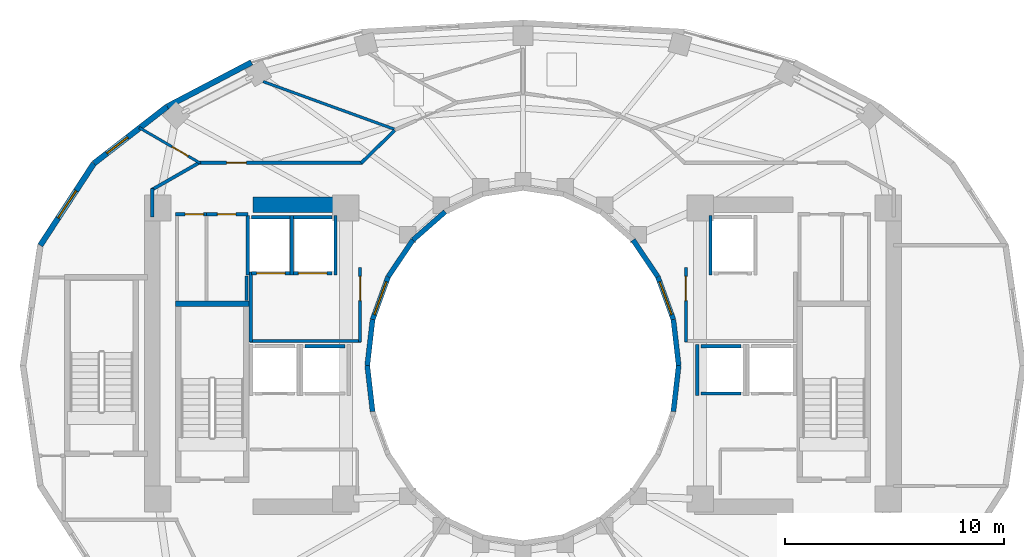
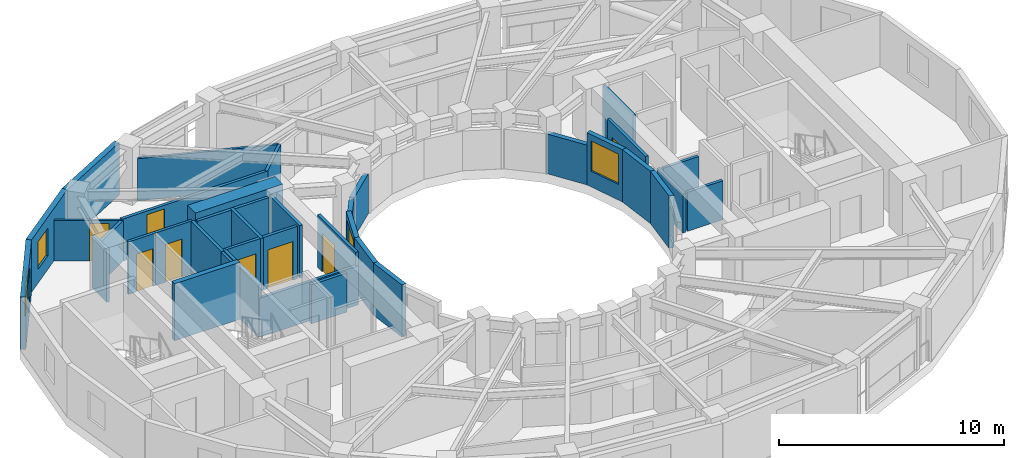
# One storey, part 12 of 17: 39 walls, 8 doors, 4 windows, 12 openings.
"""IFC4 building model written with IfcOpenShell, lengths in metres."""

from ifc_helpers import new_model, si_unit, direction, frame, frame_2d, origin, place, context, subcontext, project, spatial, rectangle, extrude, material, layer, layer_set, type_object, element, fill, save


model = new_model("IFC4")

# Units and contexts
model_context = context("Model", 3, precision=1e-05, world=origin(), true_north=direction((0.0, 1.0)))
body_context = subcontext(model_context, "Body", "Model", "MODEL_VIEW")
ifc_project = project(units=[si_unit("LENGTHUNIT", "METRE"), si_unit("AREAUNIT", "SQUARE_METRE"), si_unit("VOLUMEUNIT", "CUBIC_METRE"), si_unit("PLANEANGLEUNIT", "RADIAN"), si_unit("MASSUNIT", "GRAM", prefix="KILO")], contexts=[model_context])

# Site, building, storey
site_placement = place(None, origin())
site = spatial("IfcSite", under=ifc_project, at=site_placement, CompositionType="ELEMENT")
building_placement = place(site_placement, origin())
building = spatial("IfcBuilding", under=site, at=building_placement, Name="Solvane Sanctuary Tower", CompositionType="ELEMENT")
storey_placement = place(building_placement, frame((0.0, 0.0, 171.5)))
storey = spatial("IfcBuildingStorey", under=building, at=storey_placement, Name="L52", CompositionType="ELEMENT", Elevation=171.5)

# Walls
ifc_material_1 = material(Name="Concrete C60/75", Category="concrete")
ifc_layer_1 = layer(ifc_material_1, 0.699951171875, Name="Concrete C60/75")
ifc_layer_set_1 = layer_set([ifc_layer_1], Name="Concrete C60/75")
wall_type_1 = type_object("IfcWallType", Name="Wall W-CORE-700", PredefinedType="SHEAR", material=ifc_layer_set_1)
wall_1_placement = place(storey_placement, frame((19.64990234375, 30.35009765625, 0.0), z_axis=(0.0, 0.0, 1.0), x_axis=(1.0, 0.0, 0.0)))
element("IfcWall", 1, at=wall_1_placement, inside=storey, type_object=wall_type_1, Name="L52 Core Shear Wall WC-N", PredefinedType="SHEAR", context=body_context, shape_type="SweptSolid", body=[
    extrude(rectangle(XDim=4.5, YDim=0.699951171875, at=frame_2d((2.25, 0.0))), origin(), (0.0, 0.0, 1.0), 3.10009765625),
])
ifc_material_2 = material(Name="Acoustic Gypsum Partition Board")
ifc_layer_2 = layer(ifc_material_2, 0.14990234375, Name="Acoustic Gypsum Partition Board")
ifc_layer_set_2 = layer_set([ifc_layer_2], Name="Acoustic Gypsum Partition Board")
wall_type_2 = type_object("IfcWallType", Name="Wall W-CORR-150", PredefinedType="PARTITIONING", material=ifc_layer_set_2)
wall_2_placement = place(storey_placement, frame((19.52001953125, 24.1201171875, 0.0), z_axis=(0.0, 0.0, 1.0), x_axis=(1.0, 0.0, 0.0)))
element("IfcWall", 2, at=wall_2_placement, inside=storey, type_object=wall_type_2, Name="L52 West Firefighting Lobby South Wall", PredefinedType="PARTITIONING", context=body_context, shape_type="SweptSolid", body=[
    extrude(rectangle(XDim=5.080078125, YDim=0.14990234375, at=frame_2d((2.5400390625, 0.0))), origin(), (0.0, 0.0, 1.0), 2.1201171875),
])
wall_3_placement = place(storey_placement, frame((19.550048828125, 24.080078125, 0.0), z_axis=(0.0, 0.0, 1.0), x_axis=(0.0, 1.0, 0.0)))
element("IfcWall", 3, at=wall_3_placement, inside=storey, type_object=wall_type_2, Name="L52 West Firefighting Lobby West Wall", PredefinedType="PARTITIONING", context=body_context, shape_type="SweptSolid", body=[
    extrude(rectangle(XDim=3.199951171875, YDim=0.14990234375, at=frame_2d((1.60009765625, 0.0))), origin(), (0.0, 0.0, 1.0), 2.85498046875),
])

# Wall, opening, door
wall_4_placement = place(storey_placement, frame((24.550048828125, 24.080078125, 0.0), z_axis=(0.0, 0.0, 1.0), x_axis=(0.0, 1.0, 0.0)))
wall_4 = element("IfcWall", 4, at=wall_4_placement, inside=storey, type_object=wall_type_2, Name="L52 West Firefighting Lobby East Wall", PredefinedType="PARTITIONING", context=body_context, shape_type="SweptSolid", body=[
    extrude(rectangle(XDim=3.39990234375, YDim=0.14990234375, at=frame_2d((1.699951171875, 0.0))), origin(), (0.0, 0.0, 1.0), 2.85498046875),
])
opening_1_placement = place(wall_4_placement, frame((1.893798828125, 0.0, 0.0)))
opening_1 = element("IfcOpeningElement", 5, at=opening_1_placement, cuts=wall_4, Name="Opening D-L52-04", PredefinedType="OPENING", context=body_context, shape_type="SweptSolid", body=[
    extrude(rectangle(XDim=1.10009765625, YDim=2.10009765625, at=frame_2d((0.550048828125, 1.050048828125))), frame((0.0, 0.0849609375, 0.0), z_axis=(0.0, -1.0, 0.0), x_axis=(1.0, 0.0, 0.0)), (0.0, 0.0, 1.0), 0.169921875),
])
ifc_material_3 = material(Name="Architectural Stainless Steel 316", Category="steel")
door_type_1 = type_object("IfcDoorType", Name="Door D-FFL", OperationType="NOTDEFINED", PredefinedType="DOOR", material=ifc_material_3)
door_1_placement = place(opening_1_placement, origin())
door_1 = element("IfcDoor", 6, at=door_1_placement, inside=storey, type_object=door_type_1, Name="L52 West Firefighting Lobby Fire Door", OperationType="SINGLE_SWING_RIGHT", OverallHeight=2.10009765625, OverallWidth=1.10009765625, PredefinedType="DOOR", context=body_context, shape_type="SweptSolid", body=[
    extrude(rectangle(XDim=1.10009765625, YDim=2.10009765625, at=frame_2d((0.550048828125, 1.050048828125))), frame((0.0, 0.02490234375, 0.0), z_axis=(0.0, -1.0, 0.0), x_axis=(1.0, 0.0, 0.0)), (0.0, 0.0, 1.0), 0.050048828125),
])
fill(opening_1, door_1)

wall_5_placement = place(storey_placement, frame((39.449951171875, 24.080078125, 0.0), z_axis=(0.0, 0.0, 1.0), x_axis=(0.0, 1.0, 0.0)))
wall_5 = element("IfcWall", 7, at=wall_5_placement, inside=storey, type_object=wall_type_2, Name="L52 East Firefighting Lobby West Wall", PredefinedType="PARTITIONING", context=body_context, shape_type="SweptSolid", body=[
    extrude(rectangle(XDim=3.39990234375, YDim=0.14990234375, at=frame_2d((1.699951171875, 0.0))), origin(), (0.0, 0.0, 1.0), 2.85498046875),
])
opening_2_placement = place(wall_5_placement, frame((1.893798828125, 0.0, 0.0)))
opening_2 = element("IfcOpeningElement", 8, at=opening_2_placement, cuts=wall_5, Name="Opening D-L52-05", PredefinedType="OPENING", context=body_context, shape_type="SweptSolid", body=[
    extrude(rectangle(XDim=1.10009765625, YDim=2.10009765625, at=frame_2d((0.550048828125, 1.050048828125))), frame((0.0, 0.0849609375, 0.0), z_axis=(0.0, -1.0, 0.0), x_axis=(1.0, 0.0, 0.0)), (0.0, 0.0, 1.0), 0.169921875),
])
door_2_placement = place(opening_2_placement, origin())
door_2 = element("IfcDoor", 9, at=door_2_placement, inside=storey, type_object=door_type_1, Name="L52 East Firefighting Lobby Fire Door", OperationType="SINGLE_SWING_LEFT", OverallHeight=2.10009765625, OverallWidth=1.10009765625, PredefinedType="DOOR", context=body_context, shape_type="SweptSolid", body=[
    extrude(rectangle(XDim=1.10009765625, YDim=2.10009765625, at=frame_2d((0.550048828125, 1.050048828125))), frame((0.0, 0.02490234375, 0.0), z_axis=(0.0, -1.0, 0.0), x_axis=(1.0, 0.0, 0.0)), (0.0, 0.0, 1.0), 0.050048828125),
])
fill(opening_2, door_2)

# Walls
wall_6_placement = place(storey_placement, frame((15.050048828125, 29.800048828125, 0.0), z_axis=(0.0, 0.0, 1.0), x_axis=(0.0, 1.0, 0.0)))
element("IfcWall", 10, at=wall_6_placement, inside=storey, type_object=wall_type_2, Name="L52 NW Corner Closer 2", PredefinedType="PARTITIONING", context=body_context, shape_type="SweptSolid", body=[
    extrude(rectangle(XDim=1.2900390625, YDim=0.14990234375, at=frame_2d((0.64501953125, 0.0))), origin(), (0.0, 0.0, 1.0), 2.85498046875),
])
wall_7_placement = place(storey_placement, frame((26.132568359375, 33.748779296875, 0.0), z_axis=(0.0, 0.0, 1.0), x_axis=(-0.717419568599, -0.696641344302, 0.0)))
element("IfcWall", 11, at=wall_7_placement, inside=storey, type_object=wall_type_2, Name="L52 NW Corner Throat Wall", PredefinedType="PARTITIONING", context=body_context, shape_type="SweptSolid", body=[
    extrude(rectangle(XDim=2.138427734375, YDim=0.14990234375, at=frame_2d((1.0693359375, 0.0))), origin(), (0.0, 0.0, 1.0), 2.299072265625),
])

# Wall, opening, door
wall_8_placement = place(storey_placement, frame((17.14990234375, 32.280029296875, 0.0), z_axis=(0.0, 0.0, 1.0), x_axis=(1.0, 0.0, 0.0)))
wall_8 = element("IfcWall", 12, at=wall_8_placement, inside=storey, type_object=wall_type_2, Name="L52 NW Corner Corridor Wall", PredefinedType="PARTITIONING", context=body_context, shape_type="SweptSolid", body=[
    extrude(rectangle(XDim=7.52001953125, YDim=0.14990234375, at=frame_2d((3.760009765625, 0.0))), origin(), (0.0, 0.0, 1.0), 2.299072265625),
])
opening_3_placement = place(wall_8_placement, frame((1.300048828125, 0.0, 0.0)))
opening_3 = element("IfcOpeningElement", 13, at=opening_3_placement, cuts=wall_8, Name="Opening D-L52-15", PredefinedType="OPENING", context=body_context, shape_type="SweptSolid", body=[
    extrude(rectangle(XDim=0.89990234375, YDim=2.10009765625, at=frame_2d((0.449951171875, 1.050048828125))), frame((0.0, 0.0849609375, 0.0), z_axis=(0.0, -1.0, 0.0), x_axis=(1.0, 0.0, 0.0)), (0.0, 0.0, 1.0), 0.169921875),
])
ifc_material_4 = material(Name="Engineered Tropical Hardwood", Category="wood")
door_type_2 = type_object("IfcDoorType", Name="Door D-WET-900", OperationType="NOTDEFINED", PredefinedType="DOOR", material=ifc_material_4)
door_3_placement = place(opening_3_placement, origin())
door_3 = element("IfcDoor", 14, at=door_3_placement, inside=storey, type_object=door_type_2, Name="L52 NW Corner Salon Door", OperationType="SINGLE_SWING_LEFT", OverallHeight=2.10009765625, OverallWidth=0.89990234375, PredefinedType="DOOR", context=body_context, shape_type="SweptSolid", body=[
    extrude(rectangle(XDim=0.89990234375, YDim=2.10009765625, at=frame_2d((0.449951171875, 1.050048828125))), frame((0.0, 0.02490234375, 0.0), z_axis=(0.0, -1.0, 0.0), x_axis=(1.0, 0.0, 0.0)), (0.0, 0.0, 1.0), 0.050048828125),
])
fill(opening_3, door_3)

# Walls
wall_9_placement = place(storey_placement, frame((17.243408203125, 32.3046875, 0.0), z_axis=(0.0, 0.0, 1.0), x_axis=(-0.867991349648, -0.496579315857, 0.0)))
element("IfcWall", 15, at=wall_9_placement, inside=storey, type_object=wall_type_2, Name="L52 NW Corner Wing Wall", PredefinedType="PARTITIONING", context=body_context, shape_type="SweptSolid", body=[
    extrude(rectangle(XDim=2.56689453125, YDim=0.14990234375, at=frame_2d((1.283447265625, 0.0))), origin(), (0.0, 0.0, 1.0), 2.219970703125),
])
ifc_material_5 = material(Name="Precast concrete C40/50", Category="concrete")
ifc_layer_3 = layer(ifc_material_5, 0.260009765625, Name="Precast concrete C40/50")
ifc_layer_set_3 = layer_set([ifc_layer_3], Name="Precast concrete C40/50")
wall_type_3 = type_object("IfcWallType", Name="Wall W-EXT-250", PredefinedType="STANDARD", material=ifc_layer_set_3)
wall_10_placement = place(storey_placement, frame((19.5869140625, 36.86328125, 0.0), z_axis=(0.0, 0.0, 1.0), x_axis=(-0.885660265226, -0.464333818065, 0.0)))
element("IfcWall", 16, at=wall_10_placement, inside=storey, type_object=wall_type_3, Name="L52 Ceramic-Printed Facade Wall 08", PredefinedType="STANDARD", context=body_context, shape_type="SweptSolid", body=[
    extrude(rectangle(XDim=4.35400390625, YDim=0.260009765625, at=frame_2d((2.177001953125, 0.0))), origin(), (0.0, 0.0, 1.0), 2.85009765625),
])

# Wall, opening, window
wall_11_placement = place(storey_placement, frame((15.730712890625, 34.841552734375, 0.0), z_axis=(0.0, 0.0, 1.0), x_axis=(-0.790185650662, -0.612867552973, 0.0)))
wall_11 = element("IfcWall", 17, at=wall_11_placement, inside=storey, type_object=wall_type_3, Name="L52 Ceramic-Printed Facade Wall 09", PredefinedType="STANDARD", context=body_context, shape_type="SweptSolid", body=[
    extrude(rectangle(XDim=4.2392578125, YDim=0.260009765625, at=frame_2d((2.11962890625, 0.0))), origin(), (0.0, 0.0, 1.0), 2.85009765625),
])
opening_4_placement = place(wall_11_placement, frame((2.290283203125, 0.0, 0.75)))
opening_4 = element("IfcOpeningElement", 18, at=opening_4_placement, cuts=wall_11, Name="Opening WN-OPER-1200", PredefinedType="OPENING", context=body_context, shape_type="SweptSolid", body=[
    extrude(rectangle(XDim=1.199951171875, YDim=1.5, at=frame_2d((0.60009765625, 0.75))), frame((0.0, 0.139892578125, 0.0), z_axis=(0.0, -1.0, 0.0), x_axis=(1.0, 0.0, 0.0)), (0.0, 0.0, 1.0), 0.280029296875),
])
ifc_material_6 = material(Name="Dark Ceramic-Fritted Low-E Glass", Category="glass")
window_type_1 = type_object("IfcWindowType", Name="Window WN-OPER-1200", PartitioningType="SINGLE_PANEL", PredefinedType="WINDOW", material=ifc_material_6)
window_1_placement = place(opening_4_placement, origin())
window_1 = element("IfcWindow", 19, at=window_1_placement, inside=storey, type_object=window_type_1, Name="L52 Operable Facade Window 09", OverallHeight=1.5, OverallWidth=1.199951171875, PartitioningType="SINGLE_PANEL", PredefinedType="WINDOW", context=body_context, shape_type="SweptSolid", body=[
    extrude(rectangle(XDim=1.199951171875, YDim=1.5, at=frame_2d((0.60009765625, 0.75))), frame((0.0, 0.030029296875, 0.0), z_axis=(0.0, -1.0, 0.0), x_axis=(1.0, 0.0, 0.0)), (0.0, 0.0, 1.0), 0.06005859375),
])
fill(opening_4, window_1)

wall_12_placement = place(storey_placement, frame((12.380859375, 32.243408203125, 0.0), z_axis=(0.0, 0.0, 1.0), x_axis=(-0.547456494366, -0.836834145322, 0.0)))
wall_12 = element("IfcWall", 20, at=wall_12_placement, inside=storey, type_object=wall_type_3, Name="L52 Ceramic-Printed Facade Wall 10", PredefinedType="STANDARD", context=body_context, shape_type="SweptSolid", body=[
    extrude(rectangle(XDim=4.477294921875, YDim=0.260009765625, at=frame_2d((2.23876953125, 0.0))), origin(), (0.0, 0.0, 1.0), 2.85009765625),
])
opening_5_placement = place(wall_12_placement, frame((1.48876953125, 0.0, 0.75)))
opening_5 = element("IfcOpeningElement", 21, at=opening_5_placement, cuts=wall_12, Name="Opening WN-OPER-1500", PredefinedType="OPENING", context=body_context, shape_type="SweptSolid", body=[
    extrude(rectangle(XDim=1.5, YDim=1.60009765625, at=frame_2d((0.75, 0.800048828125))), frame((0.0, 0.139892578125, 0.0), z_axis=(0.0, -1.0, 0.0), x_axis=(1.0, 0.0, 0.0)), (0.0, 0.0, 1.0), 0.280029296875),
])
window_type_2 = type_object("IfcWindowType", Name="Window WN-OPER-1500", PartitioningType="SINGLE_PANEL", PredefinedType="WINDOW", material=ifc_material_6)
window_2_placement = place(opening_5_placement, origin())
window_2 = element("IfcWindow", 22, at=window_2_placement, inside=storey, type_object=window_type_2, Name="L52 Operable Facade Window 10", OverallHeight=1.60009765625, OverallWidth=1.5, PartitioningType="SINGLE_PANEL", PredefinedType="WINDOW", context=body_context, shape_type="SweptSolid", body=[
    extrude(rectangle(XDim=1.5, YDim=1.60009765625, at=frame_2d((0.75, 0.800048828125))), frame((0.0, 0.030029296875, 0.0), z_axis=(0.0, -1.0, 0.0), x_axis=(1.0, 0.0, 0.0)), (0.0, 0.0, 1.0), 0.06005859375),
])
fill(opening_5, window_2)

# Wall
ifc_layer_4 = layer(ifc_material_5, 0.22998046875, Name="Precast concrete C40/50")
ifc_layer_set_4 = layer_set([ifc_layer_4], Name="Precast concrete C40/50")
wall_type_4 = type_object("IfcWallType", Name="Wall W-EXT-SP220", PredefinedType="STANDARD", material=ifc_layer_set_4)
wall_13_placement = place(storey_placement, frame((39.1201171875, 23.0, 0.0), z_axis=(0.0, 0.0, 1.0), x_axis=(-0.114711713601, 0.993398823617, 0.0)))
element("IfcWall", 23, at=wall_13_placement, inside=storey, type_object=wall_type_4, Name="L52 Central Light-Well Wall 00", PredefinedType="STANDARD", context=body_context, shape_type="SweptSolid", body=[
    extrude(rectangle(XDim=2.115478515625, YDim=0.22998046875, at=frame_2d((1.0576171875, 0.0))), origin(), (0.0, 0.0, 1.0), 2.840087890625),
])

# Wall, opening, window
wall_14_placement = place(storey_placement, frame((38.87744140625, 25.1015625, 0.0), z_axis=(0.0, 0.0, 1.0), x_axis=(-0.341423187295, 0.93990968033, 0.0)))
wall_14 = element("IfcWall", 24, at=wall_14_placement, inside=storey, type_object=wall_type_4, Name="L52 Central Light-Well Wall 01", PredefinedType="STANDARD", context=body_context, shape_type="SweptSolid", body=[
    extrude(rectangle(XDim=2.083740234375, YDim=0.22998046875, at=frame_2d((1.0419921875, 0.0))), origin(), (0.0, 0.0, 1.0), 2.840087890625),
])
opening_6_placement = place(wall_14_placement, frame((0.24169921875, 0.0, 0.85009765625)))
opening_6 = element("IfcOpeningElement", 25, at=opening_6_placement, cuts=wall_14, Name="Opening WN-WELL-1600", PredefinedType="OPENING", context=body_context, shape_type="SweptSolid", body=[
    extrude(rectangle(XDim=1.60009765625, YDim=1.64990234375, at=frame_2d((0.800048828125, 0.824951171875))), frame((0.0, 0.125, 0.0), z_axis=(0.0, -1.0, 0.0), x_axis=(1.0, 0.0, 0.0)), (0.0, 0.0, 1.0), 0.25),
])
ifc_material_7 = material(Name="Clear Laminated Light-Well Glass", Category="glass")
window_type_3 = type_object("IfcWindowType", Name="Window WN-WELL-1600", PartitioningType="SINGLE_PANEL", PredefinedType="WINDOW", material=ifc_material_7)
window_3_placement = place(opening_6_placement, origin())
window_3 = element("IfcWindow", 26, at=window_3_placement, inside=storey, type_object=window_type_3, Name="L52 Light-Well Daylight Window 01", OverallHeight=1.64990234375, OverallWidth=1.60009765625, PartitioningType="SINGLE_PANEL", PredefinedType="WINDOW", context=body_context, shape_type="SweptSolid", body=[
    extrude(rectangle(XDim=1.60009765625, YDim=1.64990234375, at=frame_2d((0.800048828125, 0.824951171875))), frame((0.0, 0.030029296875, 0.0), z_axis=(0.0, -1.0, 0.0), x_axis=(1.0, 0.0, 0.0)), (0.0, 0.0, 1.0), 0.06005859375),
])
fill(opening_6, window_3)

# Walls
wall_15_placement = place(storey_placement, frame((38.166015625, 27.06005859375, 0.0), z_axis=(0.0, 0.0, 1.0), x_axis=(-0.558197800898, 0.829707909492, 0.0)))
element("IfcWall", 27, at=wall_15_placement, inside=storey, type_object=wall_type_4, Name="L52 Central Light-Well Wall 02", PredefinedType="STANDARD", context=body_context, shape_type="SweptSolid", body=[
    extrude(rectangle(XDim=2.02685546875, YDim=0.22998046875, at=frame_2d((1.013427734375, 0.0))), origin(), (0.0, 0.0, 1.0), 2.159912109375),
])
wall_16_placement = place(storey_placement, frame((28.43994140625, 30.031982421875, 0.0), z_axis=(0.0, 0.0, 1.0), x_axis=(-0.752576694707, -0.658504607869, 0.0)))
element("IfcWall", 28, at=wall_16_placement, inside=storey, type_object=wall_type_4, Name="L52 Central Light-Well Wall 08", PredefinedType="STANDARD", context=body_context, shape_type="SweptSolid", body=[
    extrude(rectangle(XDim=1.95947265625, YDim=0.22998046875, at=frame_2d((0.979736328125, 0.0))), origin(), (0.0, 0.0, 1.0), 2.159912109375),
])
wall_17_placement = place(storey_placement, frame((26.96533203125, 28.74169921875, 0.0), z_axis=(0.0, 0.0, 1.0), x_axis=(-0.558197800898, -0.829707909492, 0.0)))
element("IfcWall", 29, at=wall_17_placement, inside=storey, type_object=wall_type_4, Name="L52 Central Light-Well Wall 09", PredefinedType="STANDARD", context=body_context, shape_type="SweptSolid", body=[
    extrude(rectangle(XDim=2.02685546875, YDim=0.22998046875, at=frame_2d((1.013427734375, 0.0))), origin(), (0.0, 0.0, 1.0), 2.159912109375),
])

# Wall, opening, window
wall_18_placement = place(storey_placement, frame((25.833984375, 27.06005859375, 0.0), z_axis=(0.0, 0.0, 1.0), x_axis=(-0.341423187295, -0.93990968033, 0.0)))
wall_18 = element("IfcWall", 30, at=wall_18_placement, inside=storey, type_object=wall_type_4, Name="L52 Central Light-Well Wall 10", PredefinedType="STANDARD", context=body_context, shape_type="SweptSolid", body=[
    extrude(rectangle(XDim=2.083740234375, YDim=0.22998046875, at=frame_2d((1.0419921875, 0.0))), origin(), (0.0, 0.0, 1.0), 2.840087890625),
])
opening_7_placement = place(wall_18_placement, frame((0.24169921875, 0.0, 0.85009765625)))
opening_7 = element("IfcOpeningElement", 31, at=opening_7_placement, cuts=wall_18, Name="Opening WN-WELL-1600", PredefinedType="OPENING", context=body_context, shape_type="SweptSolid", body=[
    extrude(rectangle(XDim=1.60009765625, YDim=1.64990234375, at=frame_2d((0.800048828125, 0.824951171875))), frame((0.0, 0.125, 0.0), z_axis=(0.0, -1.0, 0.0), x_axis=(1.0, 0.0, 0.0)), (0.0, 0.0, 1.0), 0.25),
])
window_4_placement = place(opening_7_placement, origin())
window_4 = element("IfcWindow", 32, at=window_4_placement, inside=storey, type_object=window_type_3, Name="L52 Light-Well Daylight Window 10", OverallHeight=1.64990234375, OverallWidth=1.60009765625, PartitioningType="SINGLE_PANEL", PredefinedType="WINDOW", context=body_context, shape_type="SweptSolid", body=[
    extrude(rectangle(XDim=1.60009765625, YDim=1.64990234375, at=frame_2d((0.800048828125, 0.824951171875))), frame((0.0, 0.030029296875, 0.0), z_axis=(0.0, -1.0, 0.0), x_axis=(1.0, 0.0, 0.0)), (0.0, 0.0, 1.0), 0.06005859375),
])
fill(opening_7, window_4)

# Walls
for number, where, z_axis, x_axis, name in (
    (33, (25.12255859375, 25.1015625, 0.0), (0.0, 0.0, 1.0), (-0.114711713601, -0.993398823617, 0.0), "L52 Central Light-Well Wall 11"),
    (34, (24.8798828125, 23.0, 0.0), (0.0, 0.0, 1.0), (0.114711713601, -0.993398823617, 0.0), "L52 Central Light-Well Wall 12"),
    (35, (38.87744140625, 20.8984375, 0.0), (0.0, 0.0, 1.0), (0.114711713601, 0.993398823617, 0.0), "L52 Central Light-Well Wall 23"),
):
    element("IfcWall", number, at=place(storey_placement, frame(where, z_axis=z_axis, x_axis=x_axis)), inside=storey, type_object=wall_type_4, Name=name, PredefinedType="STANDARD", context=body_context, shape_type="SweptSolid", body=[
        extrude(rectangle(XDim=2.115478515625, YDim=0.22998046875, at=frame_2d((1.0576171875, 0.0))), origin(), (0.0, 0.0, 1.0), 2.840087890625),
    ])

# Wall, opening, door
ifc_layer_5 = layer(ifc_material_2, 0.1201171875, Name="Acoustic Gypsum Partition Board")
ifc_layer_set_5 = layer_set([ifc_layer_5], Name="Acoustic Gypsum Partition Board")
wall_type_5 = type_object("IfcWallType", Name="Wall W-MOV-100", PredefinedType="MOVABLE", material=ifc_layer_set_5)
wall_19_placement = place(storey_placement, frame((17.2431640625, 32.2548828125, 0.0), z_axis=(0.0, 0.0, 1.0), x_axis=(-0.864408655832, 0.502789892224, 0.0)))
wall_19 = element("IfcWall", 36, at=wall_19_placement, inside=storey, type_object=wall_type_5, Name="L52 NW Corner Suite Partition", PredefinedType="MOVABLE", context=body_context, shape_type="SweptSolid", body=[
    extrude(rectangle(XDim=3.23046875, YDim=0.1201171875, at=frame_2d((1.615234375, 0.0))), origin(), (0.0, 0.0, 1.0), 2.219970703125),
])
opening_8_placement = place(wall_19_placement, frame((0.640625, 0.0, 0.0)))
opening_8 = element("IfcOpeningElement", 37, at=opening_8_placement, cuts=wall_19, Name="Opening D-L52-14", PredefinedType="OPENING", context=body_context, shape_type="SweptSolid", body=[
    extrude(rectangle(XDim=0.85009765625, YDim=2.050048828125, at=frame_2d((0.425048828125, 1.02490234375))), frame((0.0, 0.070068359375, 0.0), z_axis=(0.0, -1.0, 0.0), x_axis=(1.0, 0.0, 0.0)), (0.0, 0.0, 1.0), 0.14013671875),
])
door_type_3 = type_object("IfcDoorType", Name="Door D-RISER", OperationType="NOTDEFINED", PredefinedType="DOOR", material=ifc_material_3)
door_4_placement = place(opening_8_placement, origin())
door_4 = element("IfcDoor", 38, at=door_4_placement, inside=storey, type_object=door_type_3, Name="L52 NW Corner Suite Door", OperationType="SINGLE_SWING_RIGHT", OverallHeight=2.050048828125, OverallWidth=0.85009765625, PredefinedType="DOOR", context=body_context, shape_type="SweptSolid", body=[
    extrude(rectangle(XDim=0.85009765625, YDim=2.050048828125, at=frame_2d((0.425048828125, 1.02490234375))), frame((0.0, 0.02490234375, 0.0), z_axis=(0.0, -1.0, 0.0), x_axis=(1.0, 0.0, 0.0)), (0.0, 0.0, 1.0), 0.050048828125),
])
fill(opening_8, door_4)

# Walls
ifc_layer_6 = layer(ifc_material_2, 0.125, Name="Acoustic Gypsum Partition Board")
ifc_layer_set_6 = layer_set([ifc_layer_6], Name="Acoustic Gypsum Partition Board")
wall_type_6 = type_object("IfcWallType", Name="Wall W-PART-125", PredefinedType="PARTITIONING", material=ifc_layer_set_6)
wall_20_placement = place(storey_placement, frame((26.120361328125, 33.805908203125, 0.0), z_axis=(0.0, 0.0, 1.0), x_axis=(-0.939901628116, 0.341445353557, 0.0)))
element("IfcWall", 39, at=wall_20_placement, inside=storey, type_object=wall_type_6, Name="L52 Radial Compartment Wall 120", PredefinedType="PARTITIONING", context=body_context, shape_type="SweptSolid", body=[
    extrude(rectangle(XDim=6.38720703125, YDim=0.125, at=frame_2d((3.193603515625, 0.0))), origin(), (0.0, 0.0, 1.0), 2.299072265625),
])
ifc_material_8 = material(Name="Concrete C50/60", Category="concrete")
ifc_layer_7 = layer(ifc_material_8, 0.14990234375, Name="Concrete C50/60")
ifc_layer_set_7 = layer_set([ifc_layer_7], Name="Concrete C50/60")
wall_type_7 = type_object("IfcWallType", Name="Wall W-SHAFT-150", PredefinedType="SOLIDWALL", material=ifc_layer_set_7)
for number, where, z_axis, x_axis, name in (
    (40, (22.0400390625, 23.8798828125, 0.0), (0.0, 0.0, 1.0), (1.0, 0.0, 0.0), "L52 PH-1 Lift Shaft Wall B"),
    (41, (40.139892578125, 21.719970703125, 0.0), (0.0, 0.0, 1.0), (1.0, 0.0, 0.0), "L52 PH-2 Lift Shaft Wall F"),
    (42, (40.139892578125, 23.8798828125, 0.0), (0.0, 0.0, 1.0), (1.0, 0.0, 0.0), "L52 PH-2 Lift Shaft Wall B"),
):
    element("IfcWall", number, at=place(storey_placement, frame(where, z_axis=z_axis, x_axis=x_axis)), inside=storey, type_object=wall_type_7, Name=name, PredefinedType="SOLIDWALL", context=body_context, shape_type="SweptSolid", body=[
        extrude(rectangle(XDim=1.820068359375, YDim=0.14990234375, at=frame_2d((0.91015625, 0.0))), origin(), (0.0, 0.0, 1.0), 2.1201171875),
    ])
wall_21_placement = place(storey_placement, frame((39.969970703125, 21.639892578125, 0.0), z_axis=(0.0, 0.0, 1.0), x_axis=(0.0, 1.0, 0.0)))
element("IfcWall", 43, at=wall_21_placement, inside=storey, type_object=wall_type_7, Name="L52 PH-2 Lift Shaft Wall S1", PredefinedType="SOLIDWALL", context=body_context, shape_type="SweptSolid", body=[
    extrude(rectangle(XDim=2.320068359375, YDim=0.14990234375, at=frame_2d((1.16015625, 0.0))), origin(), (0.0, 0.0, 1.0), 2.1201171875),
])

# Wall, opening, door
wall_22_placement = place(storey_placement, frame((19.590087890625, 27.219970703125, 0.0), z_axis=(0.0, 0.0, 1.0), x_axis=(1.0, 0.0, 0.0)))
wall_22 = element("IfcWall", 44, at=wall_22_placement, inside=storey, type_object=wall_type_7, Name="L52 FFL-1 Lift Shaft Wall F", PredefinedType="SOLIDWALL", context=body_context, shape_type="SweptSolid", body=[
    extrude(rectangle(XDim=1.760009765625, YDim=0.14990234375, at=frame_2d((0.8798828125, 0.0))), origin(), (0.0, 0.0, 1.0), 2.85498046875),
])
opening_9_placement = place(wall_22_placement, frame((0.22998046875, 0.0, 0.0)))
opening_9 = element("IfcOpeningElement", 45, at=opening_9_placement, cuts=wall_22, Name="Opening LD-L52-03", PredefinedType="OPENING", context=body_context, shape_type="SweptSolid", body=[
    extrude(rectangle(XDim=1.300048828125, YDim=2.10009765625, at=frame_2d((0.64990234375, 1.050048828125))), frame((0.0, 0.0849609375, 0.0), z_axis=(0.0, -1.0, 0.0), x_axis=(1.0, 0.0, 0.0)), (0.0, 0.0, 1.0), 0.169921875),
])
door_type_4 = type_object("IfcDoorType", Name="Door LD-FFL-1300", OperationType="NOTDEFINED", PredefinedType="DOOR", material=ifc_material_3)
door_5_placement = place(opening_9_placement, origin())
door_5 = element("IfcDoor", 46, at=door_5_placement, inside=storey, type_object=door_type_4, Name="L52 FFL-1 Lift Landing Door", OperationType="DOUBLE_DOOR_SLIDING", OverallHeight=2.10009765625, OverallWidth=1.300048828125, PredefinedType="DOOR", context=body_context, shape_type="SweptSolid", body=[
    extrude(rectangle(XDim=1.300048828125, YDim=2.10009765625, at=frame_2d((0.64990234375, 1.050048828125))), frame((0.0, 0.02490234375, 0.0), z_axis=(0.0, -1.0, 0.0), x_axis=(1.0, 0.0, 0.0)), (0.0, 0.0, 1.0), 0.050048828125),
])
fill(opening_9, door_5)

# Walls
wall_23_placement = place(storey_placement, frame((19.590087890625, 29.780029296875, 0.0), z_axis=(0.0, 0.0, 1.0), x_axis=(1.0, 0.0, 0.0)))
element("IfcWall", 47, at=wall_23_placement, inside=storey, type_object=wall_type_7, Name="L52 FFL-1 Lift Shaft Wall B", PredefinedType="SOLIDWALL", context=body_context, shape_type="SweptSolid", body=[
    extrude(rectangle(XDim=1.760009765625, YDim=0.14990234375, at=frame_2d((0.8798828125, 0.0))), origin(), (0.0, 0.0, 1.0), 2.85498046875),
])
for number, where, z_axis, x_axis, name in (
    (48, (19.419921875, 27.139892578125, 0.0), (0.0, 0.0, 1.0), (0.0, 1.0, 0.0), "L52 FFL-1 Lift Shaft Wall S1"),
    (49, (21.425048828125, 27.139892578125, 0.0), (0.0, 0.0, 1.0), (0.0, 1.0, 0.0), "L52 FFL-1 Lift Shaft Wall S2"),
):
    element("IfcWall", number, at=place(storey_placement, frame(where, z_axis=z_axis, x_axis=x_axis)), inside=storey, type_object=wall_type_7, Name=name, PredefinedType="SOLIDWALL", context=body_context, shape_type="SweptSolid", body=[
        extrude(rectangle(XDim=2.72021484375, YDim=0.14990234375, at=frame_2d((1.360107421875, 0.0))), origin(), (0.0, 0.0, 1.0), 2.85498046875),
    ])

# Wall, opening, door
wall_24_placement = place(storey_placement, frame((21.5, 27.219970703125, 0.0), z_axis=(0.0, 0.0, 1.0), x_axis=(1.0, 0.0, 0.0)))
wall_24 = element("IfcWall", 50, at=wall_24_placement, inside=storey, type_object=wall_type_7, Name="L52 SVL-1 Lift Shaft Wall F", PredefinedType="SOLIDWALL", context=body_context, shape_type="SweptSolid", body=[
    extrude(rectangle(XDim=1.760009765625, YDim=0.14990234375, at=frame_2d((0.8798828125, 0.0))), origin(), (0.0, 0.0, 1.0), 2.85498046875),
])
opening_10_placement = place(wall_24_placement, frame((0.22998046875, 0.0, 0.0)))
opening_10 = element("IfcOpeningElement", 51, at=opening_10_placement, cuts=wall_24, Name="Opening LD-L52-04", PredefinedType="OPENING", context=body_context, shape_type="SweptSolid", body=[
    extrude(rectangle(XDim=1.300048828125, YDim=2.10009765625, at=frame_2d((0.64990234375, 1.050048828125))), frame((0.0, 0.0849609375, 0.0), z_axis=(0.0, -1.0, 0.0), x_axis=(1.0, 0.0, 0.0)), (0.0, 0.0, 1.0), 0.169921875),
])
door_6_placement = place(opening_10_placement, origin())
door_6 = element("IfcDoor", 52, at=door_6_placement, inside=storey, type_object=door_type_4, Name="L52 SVL-1 Lift Landing Door", OperationType="DOUBLE_DOOR_SLIDING", OverallHeight=2.10009765625, OverallWidth=1.300048828125, PredefinedType="DOOR", context=body_context, shape_type="SweptSolid", body=[
    extrude(rectangle(XDim=1.300048828125, YDim=2.10009765625, at=frame_2d((0.64990234375, 1.050048828125))), frame((0.0, 0.02490234375, 0.0), z_axis=(0.0, -1.0, 0.0), x_axis=(1.0, 0.0, 0.0)), (0.0, 0.0, 1.0), 0.050048828125),
])
fill(opening_10, door_6)

# Walls
wall_25_placement = place(storey_placement, frame((21.5, 29.780029296875, 0.0), z_axis=(0.0, 0.0, 1.0), x_axis=(1.0, 0.0, 0.0)))
element("IfcWall", 53, at=wall_25_placement, inside=storey, type_object=wall_type_7, Name="L52 SVL-1 Lift Shaft Wall B", PredefinedType="SOLIDWALL", context=body_context, shape_type="SweptSolid", body=[
    extrude(rectangle(XDim=1.760009765625, YDim=0.14990234375, at=frame_2d((0.8798828125, 0.0))), origin(), (0.0, 0.0, 1.0), 2.85498046875),
])
for number, where, z_axis, x_axis, name in (
    (54, (23.429931640625, 27.139892578125, 0.0), (0.0, 0.0, 1.0), (0.0, 1.0, 0.0), "L52 SVL-1 Lift Shaft Wall S2"),
    (55, (40.570068359375, 27.139892578125, 0.0), (0.0, 0.0, 1.0), (0.0, 1.0, 0.0), "L52 FFL-2 Lift Shaft Wall S1"),
):
    element("IfcWall", number, at=place(storey_placement, frame(where, z_axis=z_axis, x_axis=x_axis)), inside=storey, type_object=wall_type_7, Name=name, PredefinedType="SOLIDWALL", context=body_context, shape_type="SweptSolid", body=[
        extrude(rectangle(XDim=2.72021484375, YDim=0.14990234375, at=frame_2d((1.360107421875, 0.0))), origin(), (0.0, 0.0, 1.0), 2.85498046875),
    ])
ifc_layer_8 = layer(ifc_material_8, 0.25, Name="Concrete C50/60")
ifc_layer_set_8 = layer_set([ifc_layer_8], Name="Concrete C50/60")
wall_type_8 = type_object("IfcWallType", Name="Wall W-SHAFT-250", PredefinedType="SOLIDWALL", material=ifc_layer_set_8)
wall_26_placement = place(storey_placement, frame((16.10498046875, 25.830078125, 0.0), z_axis=(0.0, 0.0, 1.0), x_axis=(1.0, 0.0, 0.0)))
element("IfcWall", 56, at=wall_26_placement, inside=storey, type_object=wall_type_8, Name="L52 ST-1 Load-Bearing Shaft Wall N", PredefinedType="SOLIDWALL", context=body_context, shape_type="SweptSolid", body=[
    extrude(rectangle(XDim=3.3701171875, YDim=0.25, at=frame_2d((1.68505859375, 0.0))), origin(), (0.0, 0.0, 1.0), 3.10009765625),
])

# Wall, opening, door
ifc_layer_9 = layer(ifc_material_2, 0.139892578125, Name="Acoustic Gypsum Partition Board")
ifc_layer_set_9 = layer_set([ifc_layer_9], Name="Acoustic Gypsum Partition Board")
wall_type_9 = type_object("IfcWallType", Name="Wall W-WET-140", PredefinedType="PLUMBINGWALL", material=ifc_layer_set_9)
wall_27_placement = place(storey_placement, frame((16.1201171875, 29.919921875, 0.0), z_axis=(0.0, 0.0, 1.0), x_axis=(1.0, 0.0, 0.0)))
wall_27 = element("IfcWall", 57, at=wall_27_placement, inside=storey, type_object=wall_type_9, Name="L52 Core Service Front Wall KW1", PredefinedType="PLUMBINGWALL", context=body_context, shape_type="SweptSolid", body=[
    extrude(rectangle(XDim=1.39990234375, YDim=0.139892578125, at=frame_2d((0.699951171875, 0.0))), origin(), (0.0, 0.0, 1.0), 2.85498046875),
])
opening_11_placement = place(wall_27_placement, frame((0.429931640625, 0.0, 0.0)))
opening_11 = element("IfcOpeningElement", 58, at=opening_11_placement, cuts=wall_27, Name="Opening D-L52-08", PredefinedType="OPENING", context=body_context, shape_type="SweptSolid", body=[
    extrude(rectangle(XDim=0.85009765625, YDim=2.050048828125, at=frame_2d((0.425048828125, 1.02490234375))), frame((0.0, 0.079833984375, 0.0), z_axis=(0.0, -1.0, 0.0), x_axis=(1.0, 0.0, 0.0)), (0.0, 0.0, 1.0), 0.159912109375),
])
door_7_placement = place(opening_11_placement, origin())
door_7 = element("IfcDoor", 59, at=door_7_placement, inside=storey, type_object=door_type_3, Name="L52 Core Service Room Door KW1-1", OperationType="SINGLE_SWING_RIGHT", OverallHeight=2.050048828125, OverallWidth=0.85009765625, PredefinedType="DOOR", context=body_context, shape_type="SweptSolid", body=[
    extrude(rectangle(XDim=0.85009765625, YDim=2.050048828125, at=frame_2d((0.425048828125, 1.02490234375))), frame((0.0, 0.02490234375, 0.0), z_axis=(0.0, -1.0, 0.0), x_axis=(1.0, 0.0, 0.0)), (0.0, 0.0, 1.0), 0.050048828125),
])
fill(opening_11, door_7)

wall_28_placement = place(storey_placement, frame((17.52001953125, 29.919921875, 0.0), z_axis=(0.0, 0.0, 1.0), x_axis=(1.0, 0.0, 0.0)))
wall_28 = element("IfcWall", 60, at=wall_28_placement, inside=storey, type_object=wall_type_9, Name="L52 Core Service Front Wall KW2", PredefinedType="PLUMBINGWALL", context=body_context, shape_type="SweptSolid", body=[
    extrude(rectangle(XDim=1.89990234375, YDim=0.139892578125, at=frame_2d((0.949951171875, 0.0))), origin(), (0.0, 0.0, 1.0), 2.85498046875),
])
opening_12_placement = place(wall_28_placement, frame((0.5, 0.0, 0.0)))
opening_12 = element("IfcOpeningElement", 61, at=opening_12_placement, cuts=wall_28, Name="Opening D-L52-09", PredefinedType="OPENING", context=body_context, shape_type="SweptSolid", body=[
    extrude(rectangle(XDim=0.85009765625, YDim=2.050048828125, at=frame_2d((0.425048828125, 1.02490234375))), frame((0.0, 0.079833984375, 0.0), z_axis=(0.0, -1.0, 0.0), x_axis=(1.0, 0.0, 0.0)), (0.0, 0.0, 1.0), 0.159912109375),
])
door_8_placement = place(opening_12_placement, origin())
door_8 = element("IfcDoor", 62, at=door_8_placement, inside=storey, type_object=door_type_3, Name="L52 Core Service Room Door KW2-1", OperationType="SINGLE_SWING_LEFT", OverallHeight=2.050048828125, OverallWidth=0.85009765625, PredefinedType="DOOR", context=body_context, shape_type="SweptSolid", body=[
    extrude(rectangle(XDim=0.85009765625, YDim=2.050048828125, at=frame_2d((0.425048828125, 1.02490234375))), frame((0.0, 0.02490234375, 0.0), z_axis=(0.0, -1.0, 0.0), x_axis=(1.0, 0.0, 0.0)), (0.0, 0.0, 1.0), 0.050048828125),
])
fill(opening_12, door_8)

# Wall
wall_29_placement = place(storey_placement, frame((19.360107421875, 25.97998046875, 0.0), z_axis=(0.0, 0.0, 1.0), x_axis=(0.0, 1.0, 0.0)))
element("IfcWall", 63, at=wall_29_placement, inside=storey, type_object=wall_type_9, Name="L52 Core Service Side Wall KW2-1", PredefinedType="PLUMBINGWALL", context=body_context, shape_type="SweptSolid", body=[
    extrude(rectangle(XDim=1.1201171875, YDim=0.139892578125, at=frame_2d((0.56005859375, 0.0))), origin(), (0.0, 0.0, 1.0), 2.85498046875),
])

save(model, "model.ifc")
